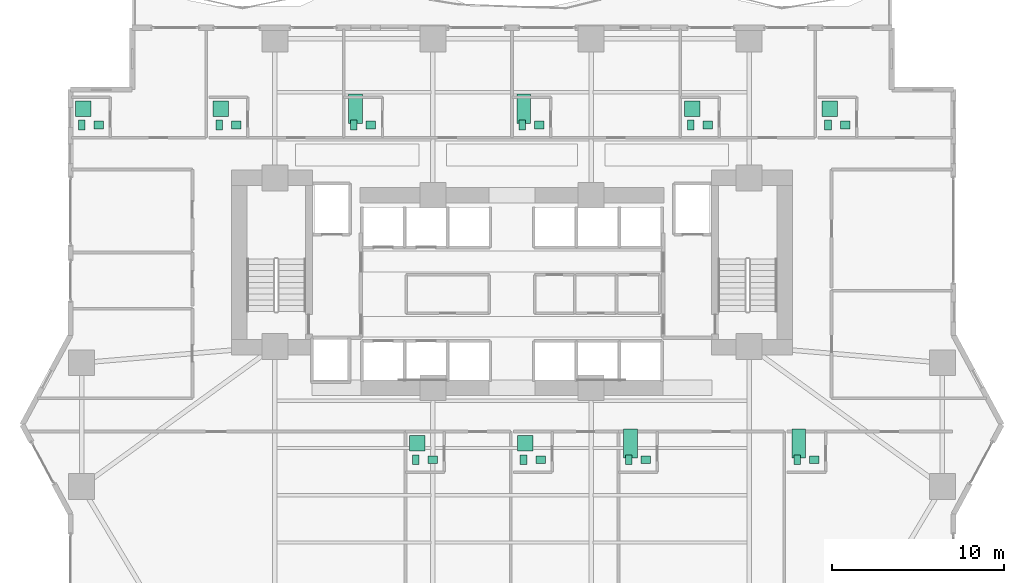
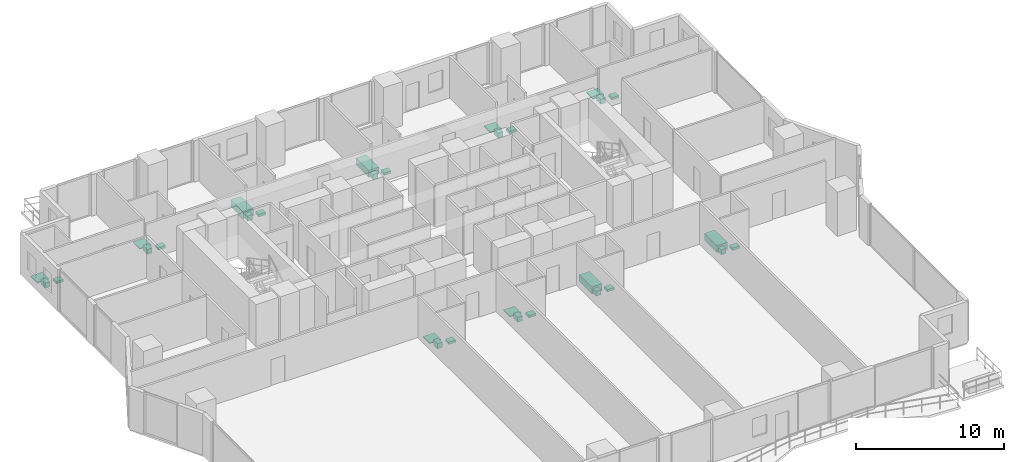
# One storey, part 30 of 30: 30 sanitary terminals.
"""IFC4 building model written with IfcOpenShell, lengths in metres."""

from ifc_helpers import new_model, si_unit, direction, frame, origin, origin_2d, place, context, subcontext, project, spatial, rectangle, extrude, material, type_object, element, save


model = new_model("IFC4")

# Units and contexts
model_context = context("Model", 3, precision=1e-05, world=origin(), true_north=direction((0.0, 1.0)))
body_context = subcontext(model_context, "Body", "Model", "MODEL_VIEW")
ifc_project = project(units=[si_unit("LENGTHUNIT", "METRE"), si_unit("AREAUNIT", "SQUARE_METRE"), si_unit("VOLUMEUNIT", "CUBIC_METRE"), si_unit("PLANEANGLEUNIT", "RADIAN"), si_unit("MASSUNIT", "GRAM", prefix="KILO")], contexts=[model_context])

# Site, building, storey
site_placement = place(None, origin())
site = spatial("IfcSite", under=ifc_project, at=site_placement, CompositionType="ELEMENT")
building_placement = place(site_placement, origin())
building = spatial("IfcBuilding", under=site, at=building_placement, Name="Zuhayl Quay Hotel", CompositionType="ELEMENT")
storey_placement = place(building_placement, frame((0.0, 0.0, 82.35009765625)))
storey = spatial("IfcBuildingStorey", under=building, at=storey_placement, Name="L20", CompositionType="ELEMENT", Elevation=82.35009765625)

# Sanitary terminals
ifc_material = material(Name="Vitreous Porcelain Sanitaryware")
sanitary_terminal_type_1 = type_object("IfcSanitaryTerminalType", Name="SAN_BASIN", PredefinedType="WASHHANDBASIN", material=ifc_material)
for number, where, z_axis, x_axis, name in (
    (1, (-24.050048828125, 17.43994140625, 0.0), (0.0, 0.0, 1.0), (1.0, 0.0, 0.0), "L20 Sanitary Fixture WASHHANDBASIN"),
    (2, (-16.050048828125, 17.43994140625, 0.0), (0.0, 0.0, 1.0), (1.0, 0.0, 0.0), "L20 Sanitary Fixture WASHHANDBASIN"),
    (3, (-8.2099609375, 17.43994140625, 0.0), (0.0, 0.0, 1.0), (1.0, 0.0, 0.0), "L20 Sanitary Fixture WASHHANDBASIN"),
    (4, (1.590087890625, 17.43994140625, 0.0), (0.0, 0.0, 1.0), (1.0, 0.0, 0.0), "L20 Sanitary Fixture WASHHANDBASIN"),
    (5, (11.389892578125, 17.43994140625, 0.0), (0.0, 0.0, 1.0), (1.0, 0.0, 0.0), "L20 Sanitary Fixture WASHHANDBASIN"),
    (6, (19.389892578125, 17.43994140625, 0.0), (0.0, 0.0, 1.0), (1.0, 0.0, 0.0), "L20 Sanitary Fixture WASHHANDBASIN"),
    (7, (-4.610107421875, -2.0400390625, 0.0), (0.0, 0.0, 1.0), (1.0, 0.0, 0.0), "L20 Sanitary Fixture WASHHANDBASIN"),
    (8, (1.669921875, -2.0400390625, 0.0), (0.0, 0.0, 1.0), (1.0, 0.0, 0.0), "L20 Sanitary Fixture WASHHANDBASIN"),
    (9, (7.7900390625, -2.0400390625, 0.0), (0.0, 0.0, 1.0), (1.0, 0.0, 0.0), "L20 Sanitary Fixture WASHHANDBASIN"),
    (10, (17.590087890625, -2.0400390625, 0.0), (0.0, 0.0, 1.0), (1.0, 0.0, 0.0), "L20 Sanitary Fixture WASHHANDBASIN"),
):
    element("IfcSanitaryTerminal", number, at=place(storey_placement, frame(where, z_axis=z_axis, x_axis=x_axis)), inside=storey, type_object=sanitary_terminal_type_1, Name=name, PredefinedType="WASHHANDBASIN", context=body_context, shape_type="SweptSolid", body=[
        extrude(rectangle(XDim=0.550048828125, YDim=0.449951171875, at=origin_2d()), origin(), (0.0, 0.0, 1.0), 0.199951171875),
    ])
sanitary_terminal_type_2 = type_object("IfcSanitaryTerminalType", Name="SAN_BATH", PredefinedType="BATH", material=ifc_material)
for number, where, z_axis, x_axis, name in (
    (11, (-9.110107421875, 18.389892578125, -0.000244140625), (0.0, 0.0, 1.0), (1.0, 0.0, 0.0), "L20 Sanitary Fixture BATH"),
    (12, (0.68994140625, 18.389892578125, -0.000244140625), (0.0, 0.0, 1.0), (1.0, 0.0, 0.0), "L20 Sanitary Fixture BATH"),
    (13, (6.889892578125, -1.090087890625, -0.000244140625), (0.0, 0.0, 1.0), (1.0, 0.0, 0.0), "L20 Sanitary Fixture BATH"),
    (14, (16.68994140625, -1.090087890625, -0.000244140625), (0.0, 0.0, 1.0), (1.0, 0.0, 0.0), "L20 Sanitary Fixture BATH"),
):
    element("IfcSanitaryTerminal", number, at=place(storey_placement, frame(where, z_axis=z_axis, x_axis=x_axis)), inside=storey, type_object=sanitary_terminal_type_2, Name=name, PredefinedType="BATH", context=body_context, shape_type="SweptSolid", body=[
        extrude(rectangle(XDim=0.800048828125, YDim=1.699951171875, at=origin_2d()), origin(), (0.0, 0.0, 1.0), 0.580078125),
    ])
sanitary_terminal_type_3 = type_object("IfcSanitaryTerminalType", Name="SAN_SHOWER", PredefinedType="SHOWER", material=ifc_material)
for number, where, z_axis, x_axis, name in (
    (15, (-24.949951171875, 18.389892578125, -0.000244140625), (0.0, 0.0, 1.0), (1.0, 0.0, 0.0), "L20 Sanitary Fixture SHOWER"),
    (16, (-16.949951171875, 18.389892578125, -0.000244140625), (0.0, 0.0, 1.0), (1.0, 0.0, 0.0), "L20 Sanitary Fixture SHOWER"),
    (17, (10.489990234375, 18.389892578125, -0.000244140625), (0.0, 0.0, 1.0), (1.0, 0.0, 0.0), "L20 Sanitary Fixture SHOWER"),
    (18, (18.489990234375, 18.389892578125, -0.000244140625), (0.0, 0.0, 1.0), (1.0, 0.0, 0.0), "L20 Sanitary Fixture SHOWER"),
    (19, (-5.510009765625, -1.090087890625, -0.000244140625), (0.0, 0.0, 1.0), (1.0, 0.0, 0.0), "L20 Sanitary Fixture SHOWER"),
    (20, (0.77001953125, -1.090087890625, -0.000244140625), (0.0, 0.0, 1.0), (1.0, 0.0, 0.0), "L20 Sanitary Fixture SHOWER"),
):
    element("IfcSanitaryTerminal", number, at=place(storey_placement, frame(where, z_axis=z_axis, x_axis=x_axis)), inside=storey, type_object=sanitary_terminal_type_3, Name=name, PredefinedType="SHOWER", context=body_context, shape_type="SweptSolid", body=[
        extrude(rectangle(XDim=0.89990234375, YDim=0.89990234375, at=origin_2d()), origin(), (0.0, 0.0, 1.0), 0.080078125),
    ])
sanitary_terminal_type_4 = type_object("IfcSanitaryTerminalType", Name="SAN_WC", PredefinedType="TOILETPAN", material=ifc_material)
for number, where, z_axis, x_axis, name in (
    (21, (-25.050048828125, 17.43994140625, 0.0), (0.0, 0.0, 1.0), (1.0, 0.0, 0.0), "L20 Sanitary Fixture TOILETPAN"),
    (22, (-17.050048828125, 17.43994140625, 0.0), (0.0, 0.0, 1.0), (1.0, 0.0, 0.0), "L20 Sanitary Fixture TOILETPAN"),
    (23, (-9.2099609375, 17.43994140625, 0.0), (0.0, 0.0, 1.0), (1.0, 0.0, 0.0), "L20 Sanitary Fixture TOILETPAN"),
    (24, (0.590087890625, 17.43994140625, 0.0), (0.0, 0.0, 1.0), (1.0, 0.0, 0.0), "L20 Sanitary Fixture TOILETPAN"),
    (25, (10.389892578125, 17.43994140625, 0.0), (0.0, 0.0, 1.0), (1.0, 0.0, 0.0), "L20 Sanitary Fixture TOILETPAN"),
    (26, (18.389892578125, 17.43994140625, 0.0), (0.0, 0.0, 1.0), (1.0, 0.0, 0.0), "L20 Sanitary Fixture TOILETPAN"),
    (27, (-5.610107421875, -2.0400390625, 0.0), (0.0, 0.0, 1.0), (1.0, 0.0, 0.0), "L20 Sanitary Fixture TOILETPAN"),
    (28, (0.669921875, -2.0400390625, 0.0), (0.0, 0.0, 1.0), (1.0, 0.0, 0.0), "L20 Sanitary Fixture TOILETPAN"),
    (29, (6.7900390625, -2.0400390625, 0.0), (0.0, 0.0, 1.0), (1.0, 0.0, 0.0), "L20 Sanitary Fixture TOILETPAN"),
    (30, (16.590087890625, -2.0400390625, 0.0), (0.0, 0.0, 1.0), (1.0, 0.0, 0.0), "L20 Sanitary Fixture TOILETPAN"),
):
    element("IfcSanitaryTerminal", number, at=place(storey_placement, frame(where, z_axis=z_axis, x_axis=x_axis)), inside=storey, type_object=sanitary_terminal_type_4, Name=name, PredefinedType="TOILETPAN", context=body_context, shape_type="SweptSolid", body=[
        extrude(rectangle(XDim=0.3798828125, YDim=0.56005859375, at=origin_2d()), origin(), (0.0, 0.0, 1.0), 0.419921875),
    ])

save(model, "model.ifc")
